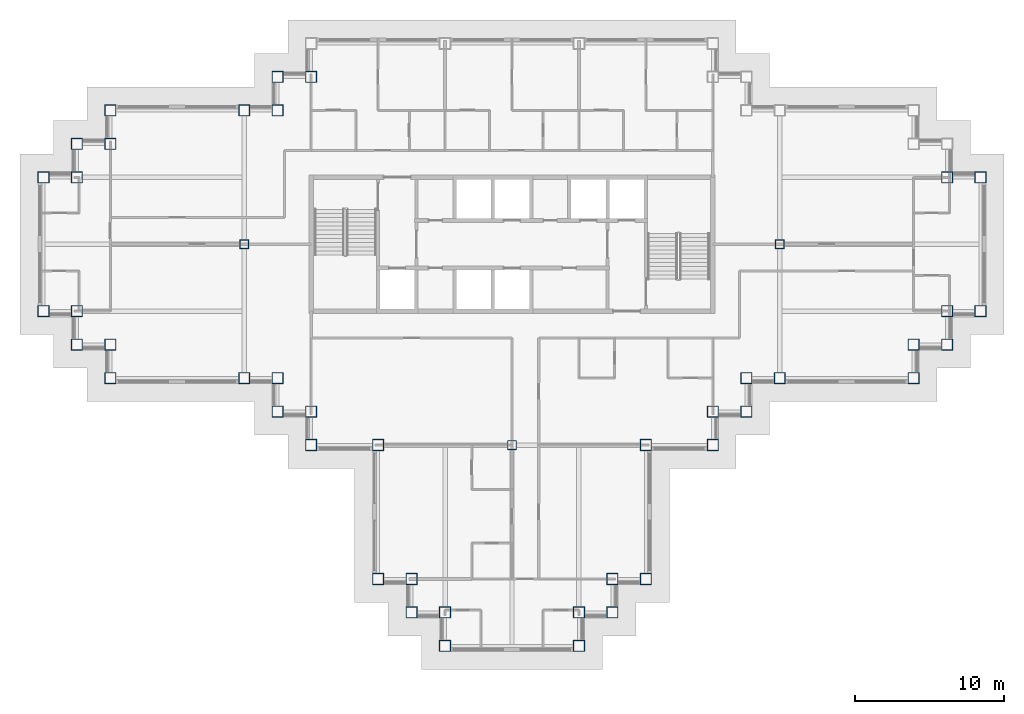
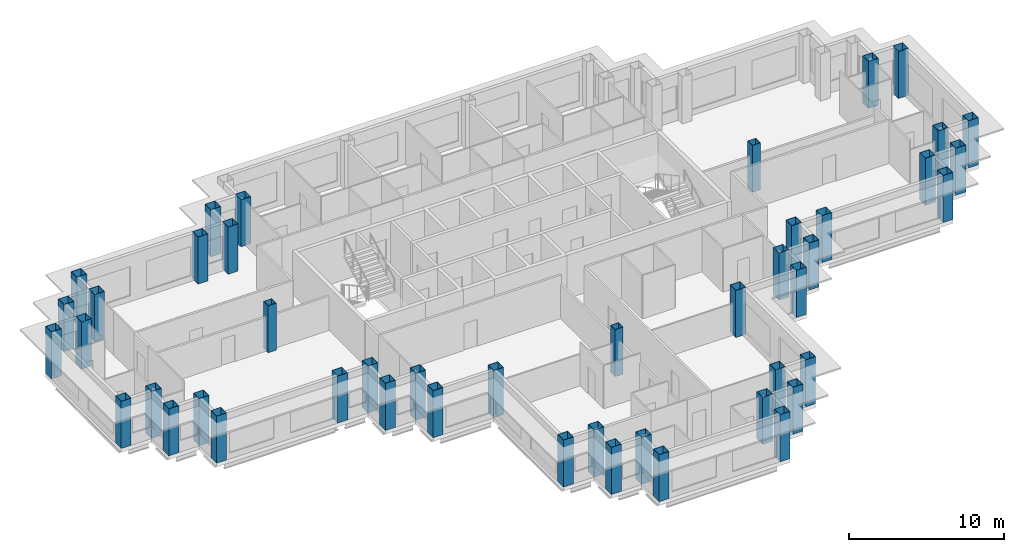
# One storey, part 1 of 13: 46 columns.
"""IFC4 building model written with IfcOpenShell, lengths in metres."""

from ifc_helpers import new_model, si_unit, direction, frame, origin, origin_2d, place, context, subcontext, project, spatial, hollow_rectangle, extrude, material, material_profile, profile_set, type_object, element, save


model = new_model("IFC4")

# Units and contexts
model_context = context("Model", 3, precision=1e-05, world=origin(), true_north=direction((0.0, 1.0)))
body_context = subcontext(model_context, "Body", "Model", "MODEL_VIEW")
ifc_project = project(units=[si_unit("LENGTHUNIT", "METRE"), si_unit("AREAUNIT", "SQUARE_METRE"), si_unit("VOLUMEUNIT", "CUBIC_METRE"), si_unit("PLANEANGLEUNIT", "RADIAN"), si_unit("MASSUNIT", "GRAM", prefix="KILO")], contexts=[model_context])

# Site, building, storey
site_placement = place(None, origin())
site = spatial("IfcSite", under=ifc_project, at=site_placement, CompositionType="ELEMENT")
building_placement = place(site_placement, origin())
building = spatial("IfcBuilding", under=site, at=building_placement, Name="Caravel Reach Hotel and Residences", CompositionType="ELEMENT")
storey_placement = place(building_placement, frame((0.0, 0.0, 169.10009765625)))
storey = spatial("IfcBuildingStorey", under=building, at=storey_placement, Name="L42", CompositionType="ELEMENT", Elevation=169.10009765625)

# Columns
ifc_material_1 = material(Name="Concrete-filled steel tube Q390B with Concrete C60 infill", Category="concrete")
ifc_material_profile_1 = material_profile(ifc_material_1, hollow_rectangle(XDim=0.60009765625, YDim=0.60009765625, WallThickness=0.02001953125, at=origin_2d()), Name="RHS 600x600x20")
ifc_profile_set_1 = profile_set([ifc_material_profile_1], Name="Concrete-filled steel tube Q390B with Concrete C60 infill")
column_type_1 = type_object("IfcColumnType", Name="CFT 600x600 Q390B C60", PredefinedType="COLUMN", material=ifc_profile_set_1)
for number, where, z_axis, x_axis, name in (
    (1, (31.5, 13.5, 0.0), (0.0, 0.0, 1.0), (1.0, 0.0, 0.0), "C8 column"),
    (2, (13.5, 27.0, 0.0), (0.0, 0.0, 1.0), (1.0, 0.0, 0.0), "C8 column"),
    (3, (49.5, 27.0, 0.0), (0.0, 0.0, 1.0), (1.0, 0.0, 0.0), "C8 column"),
):
    element("IfcColumn", number, at=place(storey_placement, frame(where, z_axis=z_axis, x_axis=x_axis)), inside=storey, type_object=column_type_1, Name=name, PredefinedType="COLUMN", context=body_context, shape_type="SweptSolid", body=[
        extrude(hollow_rectangle(XDim=0.60009765625, YDim=0.60009765625, WallThickness=0.02001953125, at=origin_2d()), origin(), (0.0, 0.0, 1.0), 3.699951171875),
    ])
ifc_material_2 = material(Name="Concrete-filled steel tube Q390B with Concrete C60 infill", Category="concrete")
ifc_material_profile_2 = material_profile(ifc_material_2, hollow_rectangle(XDim=0.75, YDim=0.75, WallThickness=0.02392578125, at=origin_2d()), Name="RHS 750x750x24")
ifc_profile_set_2 = profile_set([ifc_material_profile_2], Name="Concrete-filled steel tube Q390B with Concrete C60 infill")
column_type_2 = type_object("IfcColumnType", Name="CFT 750x750 Q390B C60", PredefinedType="COLUMN", material=ifc_profile_set_2)
for number, where, z_axis, x_axis, name in (
    (4, (22.5, 4.5, 0.0), (0.0, 0.0, 1.0), (1.0, 0.0, 0.0), "C14 column"),
    (5, (24.75, 4.5, 0.0), (0.0, 0.0, 1.0), (1.0, 0.0, 0.0), "C14 column"),
    (6, (24.75, 2.25, 0.0), (0.0, 0.0, 1.0), (1.0, 0.0, 0.0), "C14 column"),
    (7, (27.0, 2.25, 0.0), (0.0, 0.0, 1.0), (1.0, 0.0, 0.0), "C14 column"),
    (8, (27.0, 0.0, 0.0), (0.0, 0.0, 1.0), (1.0, 0.0, 0.0), "C14 column"),
    (9, (36.0, 0.0, 0.0), (0.0, 0.0, 1.0), (1.0, 0.0, 0.0), "C14 column"),
    (10, (36.0, 2.25, 0.0), (0.0, 0.0, 1.0), (1.0, 0.0, 0.0), "C14 column"),
    (11, (38.25, 2.25, 0.0), (0.0, 0.0, 1.0), (1.0, 0.0, 0.0), "C14 column"),
    (12, (38.25, 4.5, 0.0), (0.0, 0.0, 1.0), (1.0, 0.0, 0.0), "C14 column"),
    (13, (40.5, 4.5, 0.0), (0.0, 0.0, 1.0), (1.0, 0.0, 0.0), "C14 column"),
    (14, (40.5, 13.5, 0.0), (0.0, 0.0, 1.0), (1.0, 0.0, 0.0), "C14 column"),
    (15, (45.0, 13.5, 0.0), (0.0, 0.0, 1.0), (1.0, 0.0, 0.0), "C14 column"),
    (16, (45.0, 15.75, 0.0), (0.0, 0.0, 1.0), (1.0, 0.0, 0.0), "C14 column"),
    (17, (47.25, 15.75, 0.0), (0.0, 0.0, 1.0), (1.0, 0.0, 0.0), "C14 column"),
    (18, (47.25, 18.0, 0.0), (0.0, 0.0, 1.0), (1.0, 0.0, 0.0), "C14 column"),
    (19, (49.5, 18.0, 0.0), (0.0, 0.0, 1.0), (1.0, 0.0, 0.0), "C14 column"),
    (20, (58.5, 18.0, 0.0), (0.0, 0.0, 1.0), (1.0, 0.0, 0.0), "C14 column"),
    (21, (58.5, 20.25, 0.0), (0.0, 0.0, 1.0), (1.0, 0.0, 0.0), "C14 column"),
    (22, (60.75, 20.25, 0.0), (0.0, 0.0, 1.0), (1.0, 0.0, 0.0), "C14 column"),
    (23, (60.75, 22.5, 0.0), (0.0, 0.0, 1.0), (1.0, 0.0, 0.0), "C14 column"),
    (24, (63.0, 22.5, 0.0), (0.0, 0.0, 1.0), (1.0, 0.0, 0.0), "C14 column"),
    (25, (63.0, 31.5, 0.0), (0.0, 0.0, 1.0), (1.0, 0.0, 0.0), "C14 column"),
    (26, (60.75, 31.5, 0.0), (0.0, 0.0, 1.0), (1.0, 0.0, 0.0), "C14 column"),
    (27, (18.0, 38.25, 0.0), (0.0, 0.0, 1.0), (1.0, 0.0, 0.0), "C14 column"),
    (28, (15.75, 38.25, 0.0), (0.0, 0.0, 1.0), (1.0, 0.0, 0.0), "C14 column"),
    (29, (15.75, 36.0, 0.0), (0.0, 0.0, 1.0), (1.0, 0.0, 0.0), "C14 column"),
    (30, (13.5, 36.0, 0.0), (0.0, 0.0, 1.0), (1.0, 0.0, 0.0), "C14 column"),
    (31, (4.5, 36.0, 0.0), (0.0, 0.0, 1.0), (1.0, 0.0, 0.0), "C14 column"),
    (32, (4.5, 33.75, 0.0), (0.0, 0.0, 1.0), (1.0, 0.0, 0.0), "C14 column"),
    (33, (2.25, 33.75, 0.0), (0.0, 0.0, 1.0), (1.0, 0.0, 0.0), "C14 column"),
    (34, (2.25, 31.5, 0.0), (0.0, 0.0, 1.0), (1.0, 0.0, 0.0), "C14 column"),
    (35, (0.0, 31.5, 0.0), (0.0, 0.0, 1.0), (1.0, 0.0, 0.0), "C14 column"),
    (36, (0.0, 22.5, 0.0), (0.0, 0.0, 1.0), (1.0, 0.0, 0.0), "C14 column"),
    (37, (2.25, 22.5, 0.0), (0.0, 0.0, 1.0), (1.0, 0.0, 0.0), "C14 column"),
    (38, (2.25, 20.25, 0.0), (0.0, 0.0, 1.0), (1.0, 0.0, 0.0), "C14 column"),
    (39, (4.5, 20.25, 0.0), (0.0, 0.0, 1.0), (1.0, 0.0, 0.0), "C14 column"),
    (40, (4.5, 18.0, 0.0), (0.0, 0.0, 1.0), (1.0, 0.0, 0.0), "C14 column"),
    (41, (13.5, 18.0, 0.0), (0.0, 0.0, 1.0), (1.0, 0.0, 0.0), "C14 column"),
    (42, (15.75, 18.0, 0.0), (0.0, 0.0, 1.0), (1.0, 0.0, 0.0), "C14 column"),
    (43, (15.75, 15.75, 0.0), (0.0, 0.0, 1.0), (1.0, 0.0, 0.0), "C14 column"),
    (44, (18.0, 15.75, 0.0), (0.0, 0.0, 1.0), (1.0, 0.0, 0.0), "C14 column"),
    (45, (18.0, 13.5, 0.0), (0.0, 0.0, 1.0), (1.0, 0.0, 0.0), "C14 column"),
    (46, (22.5, 13.5, 0.0), (0.0, 0.0, 1.0), (1.0, 0.0, 0.0), "C14 column"),
):
    element("IfcColumn", number, at=place(storey_placement, frame(where, z_axis=z_axis, x_axis=x_axis)), inside=storey, type_object=column_type_2, Name=name, PredefinedType="COLUMN", context=body_context, shape_type="SweptSolid", body=[
        extrude(hollow_rectangle(XDim=0.75, YDim=0.75, WallThickness=0.02392578125, at=origin_2d()), origin(), (0.0, 0.0, 1.0), 3.699951171875),
    ])

save(model, "model.ifc")
